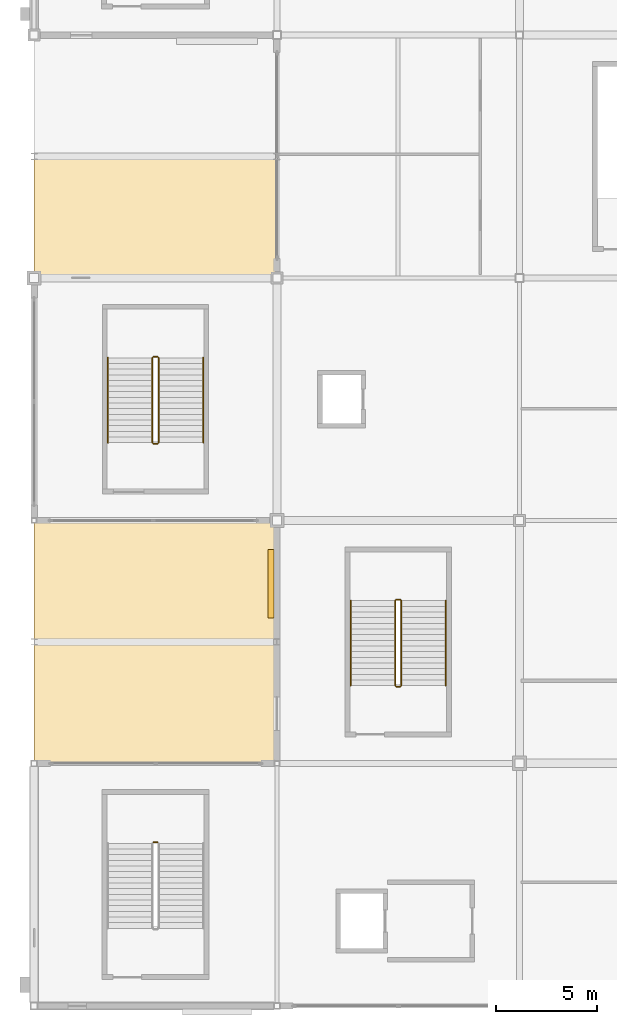
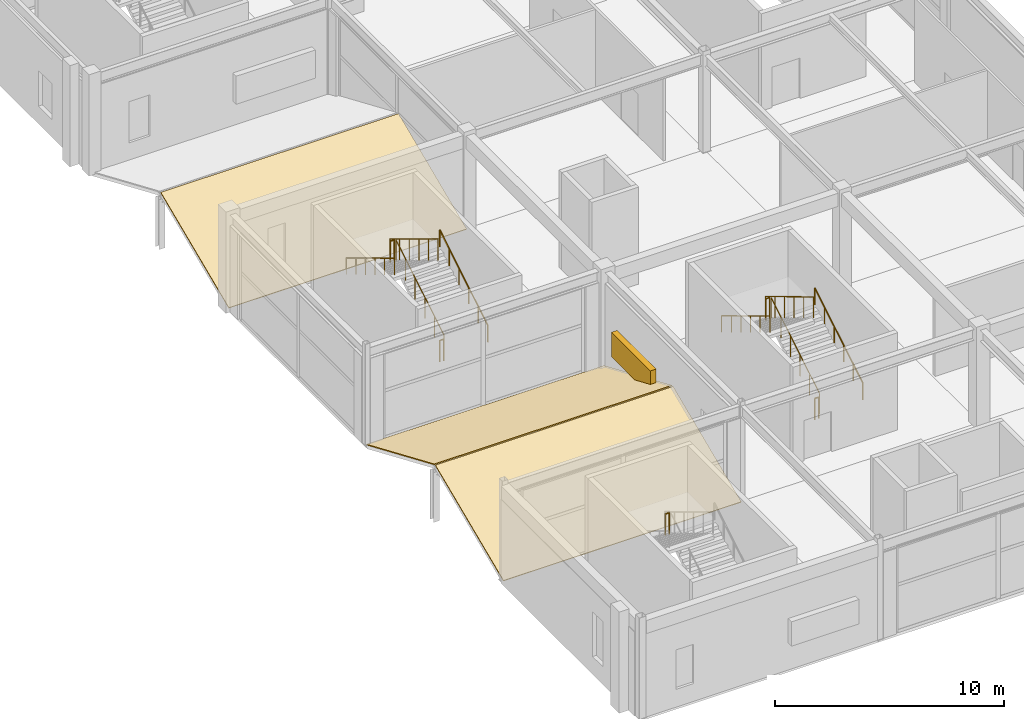
# One storey, part 89 of 105: 13 railings, 3 coverings, 1 shading device.
"""IFC4 building model written with IfcOpenShell, lengths in metres."""

from ifc_helpers import new_model, si_unit, direction, frame, origin, origin_2d, place, context, subcontext, project, spatial, polyline, rectangle, circle, outline, extrude, material, layer, layer_set, type_object, element, save


model = new_model("IFC4")

# Units and contexts
model_context = context("Model", 3, precision=1e-05, world=origin(), true_north=direction((0.0, 1.0)))
body_context = subcontext(model_context, "Body", "Model", "MODEL_VIEW")
ifc_project = project(units=[si_unit("LENGTHUNIT", "METRE"), si_unit("AREAUNIT", "SQUARE_METRE"), si_unit("VOLUMEUNIT", "CUBIC_METRE"), si_unit("PLANEANGLEUNIT", "RADIAN"), si_unit("MASSUNIT", "GRAM", prefix="KILO")], contexts=[model_context])

# Site, building, storey
site_placement = place(None, origin())
site = spatial("IfcSite", under=ifc_project, at=site_placement, CompositionType="ELEMENT")
building_placement = place(site_placement, origin())
building = spatial("IfcBuilding", under=site, at=building_placement, Name="Kazenohara Klinker Stadium", CompositionType="ELEMENT")
storey_placement = place(building_placement, frame((0.0, 0.0, 20.39990234375)))
storey = spatial("IfcBuildingStorey", under=building, at=storey_placement, Name="L04", CompositionType="ELEMENT", Elevation=20.39990234375)

# Coverings
ifc_material_1 = material(Name="Insulated standing-seam copper roofing", Category="metal")
ifc_layer_1 = layer(ifc_material_1, 0.050048828125)
ifc_layer_set_1 = layer_set([ifc_layer_1], Name="Insulated standing-seam copper roofing")
covering_type = type_object("IfcCoveringType", Name="COV-ROOF-01", PredefinedType="ROOFING", material=ifc_layer_set_1)
for number, where, z_axis, x_axis, name in (
    (1, (0.0, 48.0, -0.02978515625), (0.0, -0.393896539344, 0.919154783642), (1.0, 0.0, 0.0), "Standing-seam copper stepped wing roofing L04-A 1/E"),
    (2, (0.0, 54.050048828125, 2.52001953125), (0.0, 0.393896539344, 0.919154783642), (1.0, 0.0, 0.0), "Standing-seam copper stepped wing roofing L04-B 1/E"),
    (3, (0.0, 72.0, -0.02978515625), (0.0, -0.393896539344, 0.919154783642), (1.0, 0.0, 0.0), "Standing-seam copper stepped wing roofing L04-A 1/G"),
):
    element("IfcCovering", number, at=place(storey_placement, frame(where, z_axis=z_axis, x_axis=x_axis)), inside=storey, type_object=covering_type, Name=name, PredefinedType="ROOFING", context=body_context, shape_type="SweptSolid", body=[
        extrude(outline(polyline([(0.0, 0.0), (12.0, 0.0), (12.0, 6.473285324477336), (0.0, 6.473285324477336), (0.0, 0.0)])), origin(), (0.0, 0.0, -1.0), 0.050048828125),
    ])

# Railings
ifc_material_2 = material(Name="Brushed stainless steel 304 handrail", Category="steel")
ifc_layer_2 = layer(ifc_material_2, 0.050048828125)
ifc_layer_set_2 = layer_set([ifc_layer_2], Name="Brushed stainless steel 304 handrail")
railing_type_1 = type_object("IfcRailingType", Name="RL-HND-900", PredefinedType="HANDRAIL", material=ifc_layer_set_2)
railing_1_placement = place(storey_placement, frame((8.360107421875, 63.85009765625, 0.1689453125)))
element("IfcRailing", 4, at=railing_1_placement, inside=storey, type_object=railing_type_1, Name="L04 ST02 stair handrail 1", PredefinedType="HANDRAIL", context=body_context, shape_type="SweptSolid", body=[
    extrude(circle(Radius=0.02392578125, at=origin_2d()), frame((0.0, 0.0, 0.8759765625), z_axis=(0.0, 0.856476492594, 0.516186030065), x_axis=(-1.0, 0.0, 0.0)), (0.0, 0.0, 1.0), 4.90380859375),
    extrude(circle(Radius=0.02099609375, at=origin_2d()), origin(), (0.0, 0.0, 1.0), 0.851806640625),
    extrude(circle(Radius=0.02099609375, at=origin_2d()), frame((0.0, 0.840087890625, 0.50634765625)), (0.0, 0.0, 1.0), 0.851806640625),
    extrude(circle(Radius=0.02099609375, at=origin_2d()), frame((0.0, 1.679931640625, 1.012451171875)), (0.0, 0.0, 1.0), 0.851806640625),
    extrude(circle(Radius=0.02099609375, at=origin_2d()), frame((0.0, 2.52001953125, 1.518798828125)), (0.0, 0.0, 1.0), 0.851806640625),
    extrude(circle(Radius=0.02099609375, at=origin_2d()), frame((0.0, 3.35986328125, 2.02490234375)), (0.0, 0.0, 1.0), 0.851806640625),
    extrude(circle(Radius=0.02099609375, at=origin_2d()), frame((0.0, 4.199951171875, 2.53125)), (0.0, 0.0, 1.0), 0.851806640625),
])
railing_2_placement = place(storey_placement, frame((3.639892578125, 68.050048828125, 2.868896484375)))
element("IfcRailing", 5, at=railing_2_placement, inside=storey, type_object=railing_type_1, Name="L04 ST02 stair handrail 2", PredefinedType="HANDRAIL", context=body_context, shape_type="SweptSolid", body=[
    extrude(circle(Radius=0.02392578125, at=origin_2d()), frame((0.0, 0.0, 0.8759765625), z_axis=(0.0, -0.856476492594, 0.516186030065), x_axis=(1.0, 0.0, 0.0)), (0.0, 0.0, 1.0), 4.90380859375),
    extrude(circle(Radius=0.02099609375, at=origin_2d()), origin(), (0.0, 0.0, 1.0), 0.851806640625),
    extrude(circle(Radius=0.02099609375, at=origin_2d()), frame((0.0, -0.840087890625, 0.50634765625)), (0.0, 0.0, 1.0), 0.851806640625),
    extrude(circle(Radius=0.02099609375, at=origin_2d()), frame((0.0, -1.679931640625, 1.012451171875)), (0.0, 0.0, 1.0), 0.851806640625),
    extrude(circle(Radius=0.02099609375, at=origin_2d()), frame((0.0, -2.52001953125, 1.518798828125)), (0.0, 0.0, 1.0), 0.851806640625),
    extrude(circle(Radius=0.02099609375, at=origin_2d()), frame((0.0, -3.35986328125, 2.02490234375)), (0.0, 0.0, 1.0), 0.851806640625),
    extrude(circle(Radius=0.02099609375, at=origin_2d()), frame((0.0, -4.199951171875, 2.53125)), (0.0, 0.0, 1.0), 0.851806640625),
])
railing_3_placement = place(storey_placement, frame((20.35009765625, 51.840087890625, 0.1689453125)))
element("IfcRailing", 6, at=railing_3_placement, inside=storey, type_object=railing_type_1, Name="L04 ST13 stair handrail 1", PredefinedType="HANDRAIL", context=body_context, shape_type="SweptSolid", body=[
    extrude(circle(Radius=0.02392578125, at=origin_2d()), frame((0.0, 0.0, 0.8759765625), z_axis=(0.0, 0.856476492594, 0.516186030065), x_axis=(-1.0, 0.0, 0.0)), (0.0, 0.0, 1.0), 4.90380859375),
    extrude(circle(Radius=0.02099609375, at=origin_2d()), origin(), (0.0, 0.0, 1.0), 0.851806640625),
    extrude(circle(Radius=0.02099609375, at=origin_2d()), frame((0.0, 0.840087890625, 0.50634765625)), (0.0, 0.0, 1.0), 0.851806640625),
    extrude(circle(Radius=0.02099609375, at=origin_2d()), frame((0.0, 1.679931640625, 1.012451171875)), (0.0, 0.0, 1.0), 0.851806640625),
    extrude(circle(Radius=0.02099609375, at=origin_2d()), frame((0.0, 2.52001953125, 1.518798828125)), (0.0, 0.0, 1.0), 0.851806640625),
    extrude(circle(Radius=0.02099609375, at=origin_2d()), frame((0.0, 3.35986328125, 2.02490234375)), (0.0, 0.0, 1.0), 0.851806640625),
    extrude(circle(Radius=0.02099609375, at=origin_2d()), frame((0.0, 4.199951171875, 2.53125)), (0.0, 0.0, 1.0), 0.851806640625),
])
railing_4_placement = place(storey_placement, frame((15.64990234375, 56.0400390625, 2.868896484375)))
element("IfcRailing", 7, at=railing_4_placement, inside=storey, type_object=railing_type_1, Name="L04 ST13 stair handrail 2", PredefinedType="HANDRAIL", context=body_context, shape_type="SweptSolid", body=[
    extrude(circle(Radius=0.02392578125, at=origin_2d()), frame((0.0, 0.0, 0.8759765625), z_axis=(0.0, -0.856476492594, 0.516186030065), x_axis=(1.0, 0.0, 0.0)), (0.0, 0.0, 1.0), 4.90380859375),
    extrude(circle(Radius=0.02099609375, at=origin_2d()), origin(), (0.0, 0.0, 1.0), 0.851806640625),
    extrude(circle(Radius=0.02099609375, at=origin_2d()), frame((0.0, -0.840087890625, 0.50634765625)), (0.0, 0.0, 1.0), 0.851806640625),
    extrude(circle(Radius=0.02099609375, at=origin_2d()), frame((0.0, -1.679931640625, 1.012451171875)), (0.0, 0.0, 1.0), 0.851806640625),
    extrude(circle(Radius=0.02099609375, at=origin_2d()), frame((0.0, -2.52001953125, 1.518798828125)), (0.0, 0.0, 1.0), 0.851806640625),
    extrude(circle(Radius=0.02099609375, at=origin_2d()), frame((0.0, -3.35986328125, 2.02490234375)), (0.0, 0.0, 1.0), 0.851806640625),
    extrude(circle(Radius=0.02099609375, at=origin_2d()), frame((0.0, -4.199951171875, 2.53125)), (0.0, 0.0, 1.0), 0.851806640625),
])
ifc_material_3 = material(Name="Painted steel stairwell guardrail", Category="steel")
ifc_layer_3 = layer(ifc_material_3, 0.06005859375)
ifc_layer_set_3 = layer_set([ifc_layer_3], Name="Painted steel stairwell guardrail")
railing_type_2 = type_object("IfcRailingType", Name="RL-STG-1120", PredefinedType="GUARDRAIL", material=ifc_layer_set_3)
railing_5_placement = place(storey_placement, frame((6.10009765625, 44.090087890625, 2.7001953125)))
element("IfcRailing", 8, at=railing_5_placement, inside=storey, type_object=railing_type_2, Name="L04 ST01 stair guard 2", PredefinedType="GUARDRAIL", context=body_context, shape_type="SweptSolid", body=[
    extrude(circle(Radius=0.02392578125, at=origin_2d()), frame((0.0, 0.0, 1.1259765625), z_axis=(-1.0, 0.0, 0.0), x_axis=(0.0, -1.0, 0.0)), (0.0, 0.0, 1.0), 0.2001953125),
    extrude(circle(Radius=0.02099609375, at=origin_2d()), origin(), (0.0, 0.0, 1.0), 1.101806640625),
    extrude(circle(Radius=0.02099609375, at=origin_2d()), frame((-0.2001953125, 0.0, 0.0)), (0.0, 0.0, 1.0), 1.101806640625),
])
railing_6_placement = place(storey_placement, frame((6.14990234375, 63.85009765625, 0.1689453125)))
element("IfcRailing", 9, at=railing_6_placement, inside=storey, type_object=railing_type_2, Name="L04 ST02 stair guard 1", PredefinedType="GUARDRAIL", context=body_context, shape_type="SweptSolid", body=[
    extrude(circle(Radius=0.02392578125, at=origin_2d()), frame((0.0, 0.0, 1.1259765625), z_axis=(0.0, 0.856476492594, 0.516186030065), x_axis=(-1.0, 0.0, 0.0)), (0.0, 0.0, 1.0), 4.90380859375),
    extrude(circle(Radius=0.02099609375, at=origin_2d()), origin(), (0.0, 0.0, 1.0), 1.101806640625),
    extrude(circle(Radius=0.02099609375, at=origin_2d()), frame((0.0, 0.840087890625, 0.50634765625)), (0.0, 0.0, 1.0), 1.101806640625),
    extrude(circle(Radius=0.02099609375, at=origin_2d()), frame((0.0, 1.679931640625, 1.012451171875)), (0.0, 0.0, 1.0), 1.101806640625),
    extrude(circle(Radius=0.02099609375, at=origin_2d()), frame((0.0, 2.52001953125, 1.518798828125)), (0.0, 0.0, 1.0), 1.101806640625),
    extrude(circle(Radius=0.02099609375, at=origin_2d()), frame((0.0, 3.35986328125, 2.02490234375)), (0.0, 0.0, 1.0), 1.101806640625),
    extrude(circle(Radius=0.02099609375, at=origin_2d()), frame((0.0, 4.199951171875, 2.53125)), (0.0, 0.0, 1.0), 1.101806640625),
])
railing_7_placement = place(storey_placement, frame((6.10009765625, 68.10009765625, 2.7001953125)))
element("IfcRailing", 10, at=railing_7_placement, inside=storey, type_object=railing_type_2, Name="L04 ST02 stair guard 2", PredefinedType="GUARDRAIL", context=body_context, shape_type="SweptSolid", body=[
    extrude(circle(Radius=0.02392578125, at=origin_2d()), frame((0.0, 0.0, 1.1259765625), z_axis=(-1.0, 0.0, 0.0), x_axis=(0.0, -1.0, 0.0)), (0.0, 0.0, 1.0), 0.2001953125),
    extrude(circle(Radius=0.02099609375, at=origin_2d()), origin(), (0.0, 0.0, 1.0), 1.101806640625),
    extrude(circle(Radius=0.02099609375, at=origin_2d()), frame((-0.2001953125, 0.0, 0.0)), (0.0, 0.0, 1.0), 1.101806640625),
])
railing_8_placement = place(storey_placement, frame((5.85009765625, 68.050048828125, 2.868896484375)))
element("IfcRailing", 11, at=railing_8_placement, inside=storey, type_object=railing_type_2, Name="L04 ST02 stair guard 3", PredefinedType="GUARDRAIL", context=body_context, shape_type="SweptSolid", body=[
    extrude(circle(Radius=0.02392578125, at=origin_2d()), frame((0.0, 0.0, 1.1259765625), z_axis=(0.0, -0.856476492594, 0.516186030065), x_axis=(1.0, 0.0, 0.0)), (0.0, 0.0, 1.0), 4.90380859375),
    extrude(circle(Radius=0.02099609375, at=origin_2d()), origin(), (0.0, 0.0, 1.0), 1.101806640625),
    extrude(circle(Radius=0.02099609375, at=origin_2d()), frame((0.0, -0.840087890625, 0.50634765625)), (0.0, 0.0, 1.0), 1.101806640625),
    extrude(circle(Radius=0.02099609375, at=origin_2d()), frame((0.0, -1.679931640625, 1.012451171875)), (0.0, 0.0, 1.0), 1.101806640625),
    extrude(circle(Radius=0.02099609375, at=origin_2d()), frame((0.0, -2.52001953125, 1.518798828125)), (0.0, 0.0, 1.0), 1.101806640625),
    extrude(circle(Radius=0.02099609375, at=origin_2d()), frame((0.0, -3.35986328125, 2.02490234375)), (0.0, 0.0, 1.0), 1.101806640625),
    extrude(circle(Radius=0.02099609375, at=origin_2d()), frame((0.0, -4.199951171875, 2.53125)), (0.0, 0.0, 1.0), 1.101806640625),
])
railing_9_placement = place(storey_placement, frame((6.10009765625, 63.800048828125, 0.0)))
element("IfcRailing", 12, at=railing_9_placement, inside=storey, type_object=railing_type_2, Name="L04 ST02 stair guard 4", PredefinedType="GUARDRAIL", context=body_context, shape_type="SweptSolid", body=[
    extrude(circle(Radius=0.02392578125, at=origin_2d()), frame((0.0, 0.0, 1.1259765625), z_axis=(-1.0, 0.0, 0.0), x_axis=(0.0, -1.0, 0.0)), (0.0, 0.0, 1.0), 0.2001953125),
    extrude(circle(Radius=0.02099609375, at=origin_2d()), origin(), (0.0, 0.0, 1.0), 1.101806640625),
    extrude(circle(Radius=0.02099609375, at=origin_2d()), frame((-0.2001953125, 0.0, 0.0)), (0.0, 0.0, 1.0), 1.101806640625),
])
railing_10_placement = place(storey_placement, frame((18.14990234375, 51.840087890625, 0.1689453125)))
element("IfcRailing", 13, at=railing_10_placement, inside=storey, type_object=railing_type_2, Name="L04 ST13 stair guard 1", PredefinedType="GUARDRAIL", context=body_context, shape_type="SweptSolid", body=[
    extrude(circle(Radius=0.02392578125, at=origin_2d()), frame((0.0, 0.0, 1.1259765625), z_axis=(0.0, 0.856476492594, 0.516186030065), x_axis=(-1.0, 0.0, 0.0)), (0.0, 0.0, 1.0), 4.90380859375),
    extrude(circle(Radius=0.02099609375, at=origin_2d()), origin(), (0.0, 0.0, 1.0), 1.101806640625),
    extrude(circle(Radius=0.02099609375, at=origin_2d()), frame((0.0, 0.840087890625, 0.50634765625)), (0.0, 0.0, 1.0), 1.101806640625),
    extrude(circle(Radius=0.02099609375, at=origin_2d()), frame((0.0, 1.679931640625, 1.012451171875)), (0.0, 0.0, 1.0), 1.101806640625),
    extrude(circle(Radius=0.02099609375, at=origin_2d()), frame((0.0, 2.52001953125, 1.518798828125)), (0.0, 0.0, 1.0), 1.101806640625),
    extrude(circle(Radius=0.02099609375, at=origin_2d()), frame((0.0, 3.35986328125, 2.02490234375)), (0.0, 0.0, 1.0), 1.101806640625),
    extrude(circle(Radius=0.02099609375, at=origin_2d()), frame((0.0, 4.199951171875, 2.53125)), (0.0, 0.0, 1.0), 1.101806640625),
])
railing_11_placement = place(storey_placement, frame((18.10009765625, 56.090087890625, 2.7001953125)))
element("IfcRailing", 14, at=railing_11_placement, inside=storey, type_object=railing_type_2, Name="L04 ST13 stair guard 2", PredefinedType="GUARDRAIL", context=body_context, shape_type="SweptSolid", body=[
    extrude(circle(Radius=0.02392578125, at=origin_2d()), frame((0.0, 0.0, 1.1259765625), z_axis=(-1.0, 0.0, 0.0), x_axis=(0.0, -1.0, 0.0)), (0.0, 0.0, 1.0), 0.2001953125),
    extrude(circle(Radius=0.02099609375, at=origin_2d()), origin(), (0.0, 0.0, 1.0), 1.101806640625),
    extrude(circle(Radius=0.02099609375, at=origin_2d()), frame((-0.2001953125, 0.0, 0.0)), (0.0, 0.0, 1.0), 1.101806640625),
])
railing_12_placement = place(storey_placement, frame((17.85009765625, 56.0400390625, 2.868896484375)))
element("IfcRailing", 15, at=railing_12_placement, inside=storey, type_object=railing_type_2, Name="L04 ST13 stair guard 3", PredefinedType="GUARDRAIL", context=body_context, shape_type="SweptSolid", body=[
    extrude(circle(Radius=0.02392578125, at=origin_2d()), frame((0.0, 0.0, 1.1259765625), z_axis=(0.0, -0.856476492594, 0.516186030065), x_axis=(1.0, 0.0, 0.0)), (0.0, 0.0, 1.0), 4.90380859375),
    extrude(circle(Radius=0.02099609375, at=origin_2d()), origin(), (0.0, 0.0, 1.0), 1.101806640625),
    extrude(circle(Radius=0.02099609375, at=origin_2d()), frame((0.0, -0.840087890625, 0.50634765625)), (0.0, 0.0, 1.0), 1.101806640625),
    extrude(circle(Radius=0.02099609375, at=origin_2d()), frame((0.0, -1.679931640625, 1.012451171875)), (0.0, 0.0, 1.0), 1.101806640625),
    extrude(circle(Radius=0.02099609375, at=origin_2d()), frame((0.0, -2.52001953125, 1.518798828125)), (0.0, 0.0, 1.0), 1.101806640625),
    extrude(circle(Radius=0.02099609375, at=origin_2d()), frame((0.0, -3.35986328125, 2.02490234375)), (0.0, 0.0, 1.0), 1.101806640625),
    extrude(circle(Radius=0.02099609375, at=origin_2d()), frame((0.0, -4.199951171875, 2.53125)), (0.0, 0.0, 1.0), 1.101806640625),
])
railing_13_placement = place(storey_placement, frame((18.10009765625, 51.7900390625, 0.0)))
element("IfcRailing", 16, at=railing_13_placement, inside=storey, type_object=railing_type_2, Name="L04 ST13 stair guard 4", PredefinedType="GUARDRAIL", context=body_context, shape_type="SweptSolid", body=[
    extrude(circle(Radius=0.02392578125, at=origin_2d()), frame((0.0, 0.0, 1.1259765625), z_axis=(-1.0, 0.0, 0.0), x_axis=(0.0, -1.0, 0.0)), (0.0, 0.0, 1.0), 0.2001953125),
    extrude(circle(Radius=0.02099609375, at=origin_2d()), origin(), (0.0, 0.0, 1.0), 1.101806640625),
    extrude(circle(Radius=0.02099609375, at=origin_2d()), frame((-0.2001953125, 0.0, 0.0)), (0.0, 0.0, 1.0), 1.101806640625),
])

# Shading device
ifc_material_4 = material(Name="Perforated clinker-brick and bronze louvre grille", Category="masonry")
shading_device_type = type_object("IfcShadingDeviceType", Name="SHD-LOUV-01", PredefinedType="JALOUSIE", material=ifc_material_4)
shading_device_placement = place(storey_placement, frame((11.699951171875, 56.8818359375, 1.4501953125), z_axis=(0.0, 0.0, 1.0), x_axis=(0.0, 1.0, 0.0)))
element("IfcShadingDevice", 17, at=shading_device_placement, inside=storey, type_object=shading_device_type, Name="Perforated clinker-brick louvre screen LV01-21", PredefinedType="JALOUSIE", context=body_context, shape_type="SweptSolid", body=[
    extrude(rectangle(XDim=3.39990234375, YDim=0.300048828125, at=origin_2d()), origin(), (0.0, 0.0, 1.0), 1.300048828125),
])

save(model, "model.ifc")
